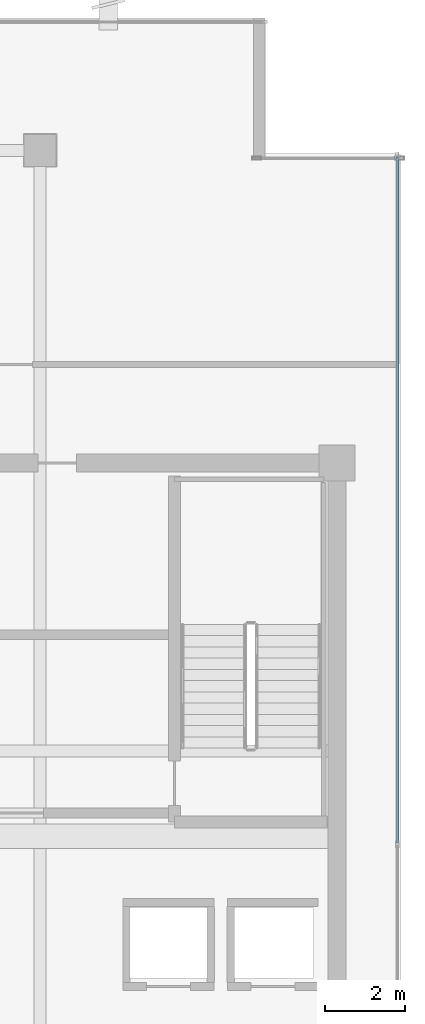
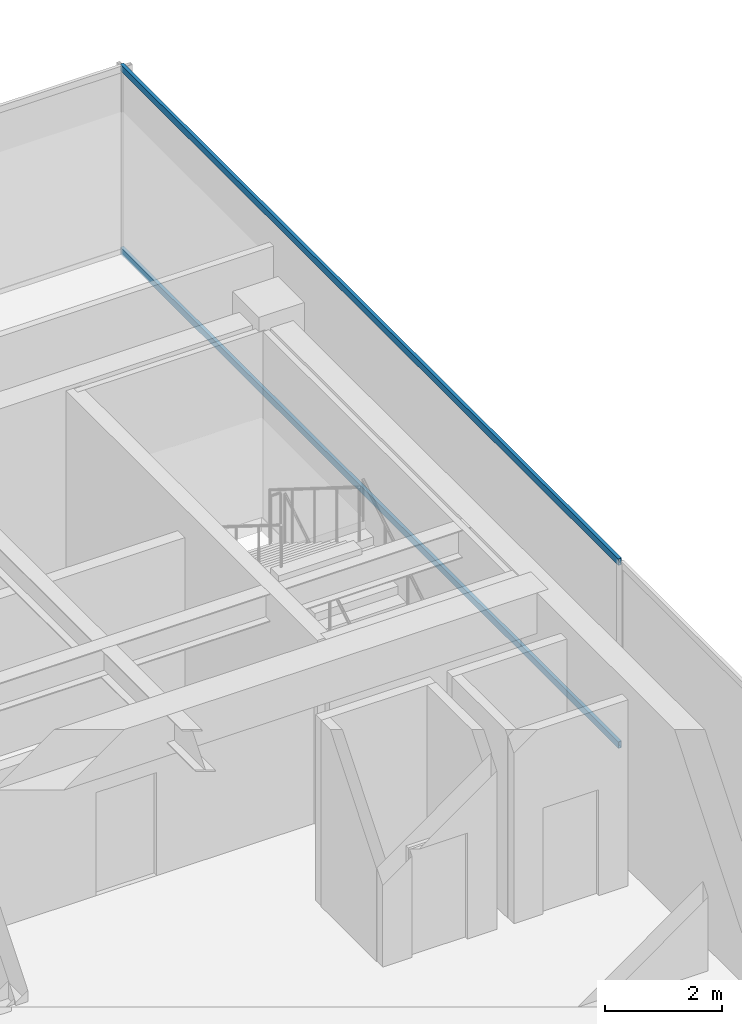
# One storey, part 17 of 32: 2 members, 1 element without a shape of its own.
"""IFC4 building model written with IfcOpenShell, lengths in metres."""

from ifc_helpers import new_model, si_unit, direction, frame, origin, origin_2d, place, context, subcontext, project, spatial, hollow_rectangle, extrude, source, transform, mapped, material, layer, layer_set, material_profile, profile_set, type_object, type_shapes, element, aggregate, save


model = new_model("IFC4")

# Units and contexts
model_context = context("Model", 3, precision=1e-05, world=origin(), true_north=direction((0.0, 1.0)))
body_context = subcontext(model_context, "Body", "Model", "MODEL_VIEW")
ifc_project = project(units=[si_unit("LENGTHUNIT", "METRE"), si_unit("AREAUNIT", "SQUARE_METRE"), si_unit("VOLUMEUNIT", "CUBIC_METRE"), si_unit("PLANEANGLEUNIT", "RADIAN"), si_unit("MASSUNIT", "GRAM", prefix="KILO")], contexts=[model_context])

# Site, building, storey
site_placement = place(None, origin())
site = spatial("IfcSite", under=ifc_project, at=site_placement, CompositionType="ELEMENT")
building_placement = place(site_placement, origin())
building = spatial("IfcBuilding", under=site, at=building_placement, Name="Haelvirn Gate Laboratories", CompositionType="ELEMENT")
storey_placement = place(building_placement, frame((0.0, 0.0, 306.0)))
storey = spatial("IfcBuildingStorey", under=building, at=storey_placement, Name="L73", CompositionType="ELEMENT", Elevation=306.0)

# Curtain wall, members
ifc_material_1 = material(Name="Anodised bronze unitised aluminium & triple low-E glass", Category="aluminium")
ifc_layer = layer(ifc_material_1, 0.176025390625, Name="CW-SYS-4")
ifc_layer_set = layer_set([ifc_layer], Name="Anodised bronze unitised aluminium & triple low-E glass")
curtain_wall_type = type_object("IfcCurtainWallType", Name="CW-SYS-4", PredefinedType="NOTDEFINED", material=ifc_layer_set)
curtain_wall_placement = place(storey_placement, origin())
curtain_wall = element("IfcCurtainWall", 1, at=curtain_wall_placement, inside=storey, type_object=curtain_wall_type, Name="L73 Unitised Curtain Wall CW-L73-P0-E07", PredefinedType="NOTDEFINED")
ifc_material_2 = material(Name="Extruded aluminium 6063-T6 (anodised bronze)", Category="aluminium")
ifc_material_profile = material_profile(ifc_material_2, hollow_rectangle(XDim=0.06494140625, YDim=0.139892578125, WallThickness=0.00390625, at=origin_2d()), Name="CWT-140x65x4")
ifc_profile_set = profile_set([ifc_material_profile], Name="Extruded aluminium 6063-T6 (anodised bronze)")
member_type = type_object("IfcMemberType", Name="CWT-T140", PredefinedType="USERDEFINED", material=ifc_profile_set)
shared_shape = source(origin(), body_context, "Body", "SweptSolid", [
    extrude(hollow_rectangle(XDim=0.06494140625, YDim=0.139892578125, WallThickness=0.00390625, at=origin_2d()), origin(), (0.0, 0.0, 1.0), 17.094970703125),
])
type_shapes(member_type, [shared_shape])
member_1_placement = place(storey_placement, frame((68.89990234375, 24.3349609375, 0.032470703125), z_axis=(0.0, 1.0, 0.0), x_axis=(-1.0, 0.0, 0.0)))
member_1 = element("IfcMember", 2, at=member_1_placement, type_object=member_type, Name="CW4 transom 2.1", ObjectType="TRANSOM", PredefinedType="USERDEFINED", context=body_context, shape_type="MappedRepresentation", body=[
    mapped(shared_shape, transform((0.0, 0.0, 0.0), scale=1.0)),
])
member_2_placement = place(storey_placement, frame((68.89990234375, 24.3349609375, 3.867431640625), z_axis=(0.0, 1.0, 0.0), x_axis=(-1.0, 0.0, 0.0)))
member_2 = element("IfcMember", 3, at=member_2_placement, type_object=member_type, Name="CW4 transom 2.2", ObjectType="TRANSOM", PredefinedType="USERDEFINED", context=body_context, shape_type="MappedRepresentation", body=[
    mapped(shared_shape, transform((0.0, 0.0, 0.0), scale=1.0)),
])
aggregate(curtain_wall, [member_1, member_2])

save(model, "model.ifc")
